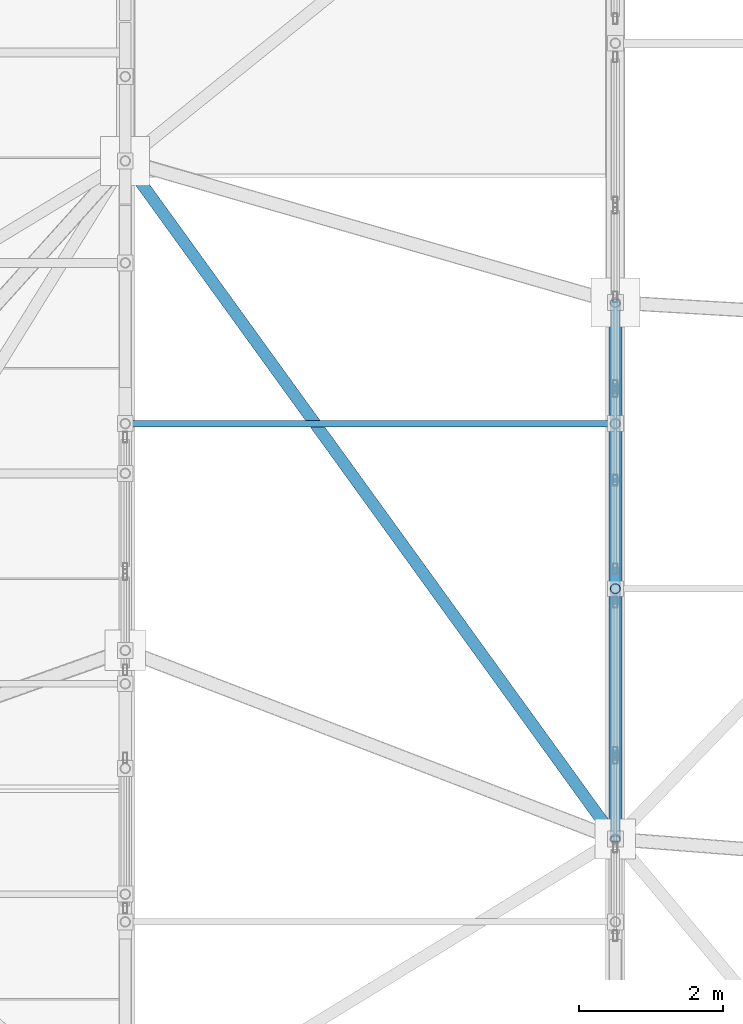
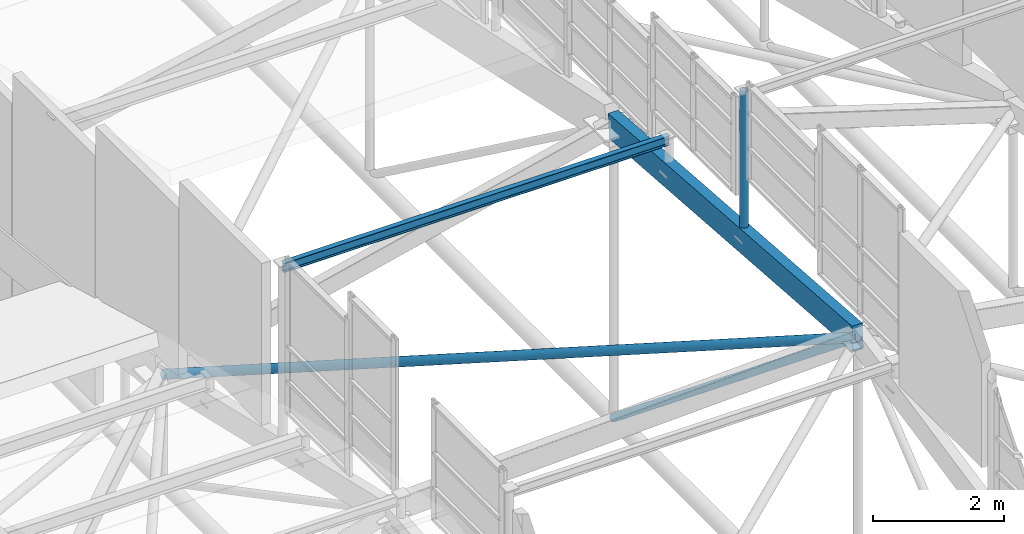
# One storey, part 43 of 188: 5 members.
"""IFC4 building model written with IfcOpenShell, lengths in metres."""

import ifcopenshell
import ifcopenshell.guid

model = None  # the IFC model being written
_history = None  # IfcOwnerHistory: only IFC2X3 demands one
_inside = {}  # id of a spatial element -> (the spatial element, [elements in it])
_under = {}  # id of a project, library or spatial element -> (it, [spatial elements below it])
_declared = {}  # id of a project -> (the project, [libraries it declares])
_typed = {}  # id of a type object -> (the type object, [elements of that type])
_made_of = {}  # id of a material, layer set ... -> (it, [elements and type objects made of it])


def new_model(schema):
    """Start an empty IFC model of exactly this schema.

    Asked for "IFC4X3", IfcOpenShell would pick the latest addendum, in which some entities
    have other attributes; the version numbers below select the first issue.
    IFC2X3 requires an IfcOwnerHistory on every rooted entity: one is made here for all.
    """
    global model, _history
    if schema == "IFC4X3":
        model = ifcopenshell.file(schema_version=(4, 3, 0, 0))
    else:
        model = ifcopenshell.file(schema=schema)
    _inside.clear()
    _under.clear()
    _declared.clear()
    _typed.clear()
    _made_of.clear()
    _history = None
    if model.schema == "IFC2X3":
        org = make("IfcOrganization", Name="unknown")
        user = make(
            "IfcPersonAndOrganization",
            ThePerson=make("IfcPerson", FamilyName="unknown"),
            TheOrganization=org,
        )
        app = make(
            "IfcApplication",
            ApplicationDeveloper=org,
            Version="unknown",
            ApplicationFullName="unknown",
            ApplicationIdentifier="unknown",
        )
        _history = make(
            "IfcOwnerHistory",
            OwningUser=user,
            OwningApplication=app,
            ChangeAction="ADDED",
            CreationDate=0,
        )
    return model


def make(cls, **values):
    """One entity of the class cls with the attributes given. An attribute that is None is left unset."""
    return model.create_entity(
        cls, **{name: value for name, value in values.items() if value is not None}
    )


def rooted(cls, **values):
    """An entity with a GlobalId (a new one), such as an element, a storey or a relation."""
    return make(cls, GlobalId=ifcopenshell.guid.new(), OwnerHistory=_history, **values)


def si_unit(unit_type, name, prefix=None):
    """IfcSIUnit, for example si_unit("LENGTHUNIT", "METRE", prefix="MILLI")."""
    return make("IfcSIUnit", UnitType=unit_type, Prefix=prefix, Name=name)


def assignment(units):
    """IfcUnitAssignment: the units of a project."""
    return None if units is None else make("IfcUnitAssignment", Units=units)


def point(xyz):
    """IfcCartesianPoint."""
    return None if xyz is None else make("IfcCartesianPoint", Coordinates=xyz)


def direction(xyz):
    """IfcDirection."""
    return None if xyz is None else make("IfcDirection", DirectionRatios=xyz)


def frame(location, z_axis=None, x_axis=None):
    """IfcAxis2Placement3D, a coordinate frame: its origin and axes. An axis left out is left unset."""
    return make(
        "IfcAxis2Placement3D",
        Location=point(location),
        Axis=direction(z_axis),
        RefDirection=direction(x_axis),
    )


def frame_2d(location, x_axis=None):
    """IfcAxis2Placement2D, a coordinate frame in the plane: its origin and x axis."""
    return make(
        "IfcAxis2Placement2D", Location=point(location), RefDirection=direction(x_axis)
    )


def origin():
    """The frame at (0, 0, 0) with its axes left unset."""
    return frame((0.0, 0.0, 0.0))


def origin_2d():
    """The frame at (0, 0) in the plane with its x axis left unset."""
    return frame_2d((0.0, 0.0))


def place(relative_to, where):
    """IfcLocalPlacement: puts the frame where relative to a parent placement (None: the world)."""
    return make(
        "IfcLocalPlacement", PlacementRelTo=relative_to, RelativePlacement=where
    )


def context(
    kind, dimensions, precision=None, world=None, true_north=None, identifier=None
):
    """IfcGeometricRepresentationContext, for example the 3D "Model" context."""
    return make(
        "IfcGeometricRepresentationContext",
        ContextIdentifier=identifier,
        ContextType=kind,
        CoordinateSpaceDimension=dimensions,
        Precision=precision,
        WorldCoordinateSystem=world,
        TrueNorth=true_north,
    )


def subcontext(parent, identifier, kind, view, scale=None):
    """IfcGeometricRepresentationSubContext, for example "Body" below "Model"."""
    return make(
        "IfcGeometricRepresentationSubContext",
        ContextIdentifier=identifier,
        ContextType=kind,
        ParentContext=parent,
        TargetScale=scale,
        TargetView=view,
    )


def project(units=None, contexts=None):
    """IfcProject with its units and contexts."""
    return rooted(
        "IfcProject",
        Name="project",
        RepresentationContexts=contexts,
        UnitsInContext=assignment(units),
    )


def spatial(cls, under=None, at=None, **own):
    """A site, building, storey or space (cls), placed at a placement, below another one or the project."""
    s = rooted(cls, ObjectPlacement=at, **own)
    if under is not None:
        _under.setdefault(under.id(), (under, []))[1].append(s)
    return s


def profile(cls, at=None, kind="AREA", **sizes):
    """A parametric profile (cls). Its sizes go by their IFC names, for example OverallWidth=200.0."""
    return make(cls, ProfileType=kind, Position=at, **sizes)


def rectangle(**sizes):
    """IfcRectangleProfileDef."""
    return profile("IfcRectangleProfileDef", **sizes)


def hollow_circle(**sizes):
    """IfcCircleHollowProfileDef."""
    return profile("IfcCircleHollowProfileDef", **sizes)


def i_section(**sizes):
    """IfcIShapeProfileDef."""
    return profile("IfcIShapeProfileDef", **sizes)


def extrude(swept, where, along, depth):
    """IfcExtrudedAreaSolid: the profile swept, set in the frame where, extruded along a direction by depth."""
    return make(
        "IfcExtrudedAreaSolid",
        SweptArea=swept,
        Position=where,
        ExtrudedDirection=direction(along),
        Depth=depth,
    )


def shape(context_of_items, identifier, shape_type, items):
    """IfcShapeRepresentation: the items that make up one representation, for example the "Body"."""
    return make(
        "IfcShapeRepresentation",
        ContextOfItems=context_of_items,
        RepresentationIdentifier=identifier,
        RepresentationType=shape_type,
        Items=items,
    )


def material(Name=None, Category=None):
    """IfcMaterial."""
    return make("IfcMaterial", Name=Name, Category=Category)


def material_profile(
    of_material, cross_section, Name=None, Category=None, Priority=None
):
    """IfcMaterialProfile: a cross section and its material."""
    return make(
        "IfcMaterialProfile",
        Name=Name,
        Material=of_material,
        Profile=cross_section,
        Priority=Priority,
        Category=Category,
    )


def profile_set(profiles, Name=None, composite=None):
    """IfcMaterialProfileSet."""
    return make(
        "IfcMaterialProfileSet",
        Name=Name,
        MaterialProfiles=profiles,
        CompositeProfile=composite,
    )


def made_of(thing, what):
    """Note that an element or type object is made of a material, layer set ...; save() writes the relation."""
    if what is not None:
        _made_of.setdefault(what.id(), (what, []))[1].append(thing)
    return thing


def type_object(cls, material=None, **own):
    """A type object (cls), such as IfcWallType, which elements share."""
    return made_of(rooted(cls, **own), material)


def element(
    cls,
    number,
    at=None,
    inside=None,
    cuts=None,
    type_object=None,
    material=None,
    context=None,
    identifier="Body",
    shape_type=None,
    held_by="IfcProductDefinitionShape",
    body=None,
    shapes=None,
    **own,
):
    """One element of the class cls, such as IfcWall. Its Tag is "e" and its number.

    at: its placement. inside: the storey or other place that contains it. cuts: it is an
    opening in that element (IfcRelVoidsElement). A single representation is given by context,
    identifier, shape_type and body (its items); several are given by shapes. held_by: the class
    of the entity that holds the representations. save() writes the other relations.
    """
    e = rooted(cls, Tag="e%d" % number, ObjectPlacement=at, **own)
    if body is not None:
        shapes = [shape(context, identifier, shape_type, body)]
    if shapes is not None:
        e.Representation = make(held_by, Representations=shapes)
    if inside is not None:
        _inside.setdefault(inside.id(), (inside, []))[1].append(e)
    if cuts is not None:
        rooted(
            "IfcRelVoidsElement", RelatingBuildingElement=cuts, RelatedOpeningElement=e
        )
    if type_object is not None:
        _typed.setdefault(type_object.id(), (type_object, []))[1].append(e)
    return made_of(e, material)


def aggregate(whole, parts):
    """IfcRelAggregates: a whole, such as a stair, and the parts it consists of."""
    return rooted("IfcRelAggregates", RelatingObject=whole, RelatedObjects=parts)


def save(model, path):
    """Write the relations noted so far, then the file.

    IfcRelAggregates (storeys below a building ...), IfcRelContainedInSpatialStructure (elements
    in a storey), IfcRelDefinesByType, IfcRelAssociatesMaterial and IfcRelDeclares: one each for
    every whole, place, type object, material and project.
    """
    for whole, parts in _under.values():
        aggregate(whole, parts)
    for where, things in _inside.values():
        rooted(
            "IfcRelContainedInSpatialStructure",
            RelatedElements=things,
            RelatingStructure=where,
        )
    for kind, things in _typed.values():
        rooted("IfcRelDefinesByType", RelatedObjects=things, RelatingType=kind)
    for what, things in _made_of.values():
        rooted("IfcRelAssociatesMaterial", RelatedObjects=things, RelatingMaterial=what)
    for by, libraries in _declared.values():
        rooted("IfcRelDeclares", RelatingContext=by, RelatedDefinitions=libraries)
    model.write(path)


model = new_model("IFC4")

# Units and contexts
model_context = context("Model", 3, precision=1e-05, world=origin(), true_north=direction((0.0, 1.0)))
body_context = subcontext(model_context, "Body", "Model", "MODEL_VIEW")
ifc_project = project(units=[si_unit("LENGTHUNIT", "METRE"), si_unit("AREAUNIT", "SQUARE_METRE"), si_unit("VOLUMEUNIT", "CUBIC_METRE"), si_unit("PLANEANGLEUNIT", "RADIAN"), si_unit("MASSUNIT", "GRAM", prefix="KILO")], contexts=[model_context])

# Site, building, storey
site_placement = place(None, origin())
site = spatial("IfcSite", under=ifc_project, at=site_placement, CompositionType="ELEMENT")
building_placement = place(site_placement, origin())
building = spatial("IfcBuilding", under=site, at=building_placement, Name="Kisaragi Civic Commons", CompositionType="ELEMENT")
storey_placement = place(building_placement, frame((0.0, 0.0, 9.60009765625)))
storey = spatial("IfcBuildingStorey", under=building, at=storey_placement, Name="L02", CompositionType="ELEMENT", Elevation=9.60009765625)

# Members
ifc_material_1 = material(Name="Steel SN400 (SN400B)", Category="steel")
ifc_material_profile_1 = material_profile(ifc_material_1, hollow_circle(Radius=0.08251953125, WallThickness=0.006103515625, at=origin_2d()), Name="CHS-165.2x6.0", Category="steel")
ifc_profile_set_1 = profile_set([ifc_material_profile_1], Name="Steel SN400 (SN400B)")
member_type_1 = type_object("IfcMemberType", Name="BR-02", PredefinedType="BRACE", material=ifc_profile_set_1)
member_1_placement = place(storey_placement, frame((6.800048828125, 42.028564453125, 1.305908203125), z_axis=(0.5536357504, -0.765982381698, 0.32673911123), x_axis=(0.810465106375, 0.585786916334, 0.0)))
element("IfcMember", 1, at=member_1_placement, inside=storey, type_object=member_type_1, Name="V1 diagonal gridshell steel brace 10", PredefinedType="BRACE", context=body_context, shape_type="SweptSolid", body=[
    extrude(hollow_circle(Radius=0.08251953125, WallThickness=0.006103515625, at=origin_2d()), origin(), (0.0, 0.0, 1.0), 12.282470703125),
])
ifc_material_2 = material(Name="Glulam E120-F330", Category="wood")
ifc_material_profile_2 = material_profile(ifc_material_2, rectangle(XDim=0.179931640625, YDim=0.449951171875, at=origin_2d()), Name="GL-180x450", Category="wood")
ifc_profile_set_2 = profile_set([ifc_material_profile_2], Name="Glulam E120-F330")
member_type_2 = type_object("IfcMemberType", Name="GR-05", PredefinedType="RAFTER", material=ifc_profile_set_2)
member_2_placement = place(storey_placement, frame((13.60009765625, 32.620361328125, 5.319091796875), z_axis=(0.0, 0.997281746232, -0.073682553101), x_axis=(-1.0, 0.0, 0.0)))
element("IfcMember", 2, at=member_2_placement, inside=storey, type_object=member_type_2, Name="V1 glulam arch rib GR-05 21", PredefinedType="RAFTER", context=body_context, shape_type="SweptSolid", body=[
    extrude(rectangle(XDim=0.179931640625, YDim=0.449951171875, at=origin_2d()), origin(), (0.0, 0.0, 1.0), 7.465087890625),
])
ifc_material_profile_3 = material_profile(ifc_material_1, i_section(OverallWidth=0.090087890625, OverallDepth=0.175048828125, WebThickness=0.0048828125, FlangeThickness=0.008056640625, FilletRadius=0.008056640625, at=origin_2d()), Name="H-175x90x5x8", Category="steel")
ifc_profile_set_3 = profile_set([ifc_material_profile_3], Name="Steel SN400 (SN400B)")
member_type_3 = type_object("IfcMemberType", Name="PR-03", PredefinedType="PURLIN", material=ifc_profile_set_3)
member_3_placement = place(storey_placement, frame((6.800048828125, 38.384521484375, 5.517578125), z_axis=(1.0, 0.0, 0.0), x_axis=(0.0, 1.0, 0.0)))
element("IfcMember", 3, at=member_3_placement, inside=storey, type_object=member_type_3, Name="V1 wave vault steel purlin 13", PredefinedType="PURLIN", context=body_context, shape_type="SweptSolid", body=[
    extrude(i_section(OverallWidth=0.090087890625, OverallDepth=0.175048828125, WebThickness=0.0048828125, FlangeThickness=0.008056640625, FilletRadius=0.008056640625, at=origin_2d()), origin(), (0.0, 0.0, 1.0), 6.800048828125),
])
ifc_material_3 = material(Name="Steel SN490 (SN490B)", Category="steel")
ifc_material_profile_4 = material_profile(ifc_material_3, hollow_circle(Radius=0.06982421875, WallThickness=0.006103515625, at=origin_2d()), Name="CHS-139.8x6.0", Category="steel")
ifc_profile_set_4 = profile_set([ifc_material_profile_4], Name="Steel SN490 (SN490B)")
member_type_4 = type_object("IfcMemberType", Name="ST-H1", PredefinedType="STRUT", material=ifc_profile_set_4)
member_4_placement = place(storey_placement, frame((13.60009765625, 40.065185546875, -0.691162109375), z_axis=(0.0, -0.77808795079, 0.628155347693), x_axis=(1.0, 0.0, 0.0)))
element("IfcMember", 4, at=member_4_placement, inside=storey, type_object=member_type_4, Name="V1 tied arch truss diagonal web strut 40", PredefinedType="STRUT", context=body_context, shape_type="SweptSolid", body=[
    extrude(hollow_circle(Radius=0.06982421875, WallThickness=0.006103515625, at=origin_2d()), origin(), (0.0, 0.0, 1.0), 9.568115234375),
])
member_5_placement = place(storey_placement, frame((13.60009765625, 36.093994140625, 5.0625), z_axis=(0.0, 0.0, 1.0), x_axis=(1.0, 0.0, 0.0)))
element("IfcMember", 5, at=member_5_placement, inside=storey, type_object=member_type_4, Name="V1 clerestory monitor horizontal tie strut 3.2.5", PredefinedType="STRUT", context=body_context, shape_type="SweptSolid", body=[
    extrude(hollow_circle(Radius=0.06982421875, WallThickness=0.006103515625, at=origin_2d()), origin(), (0.0, 0.0, 1.0), 2.76123046875),
])

save(model, "model.ifc")
